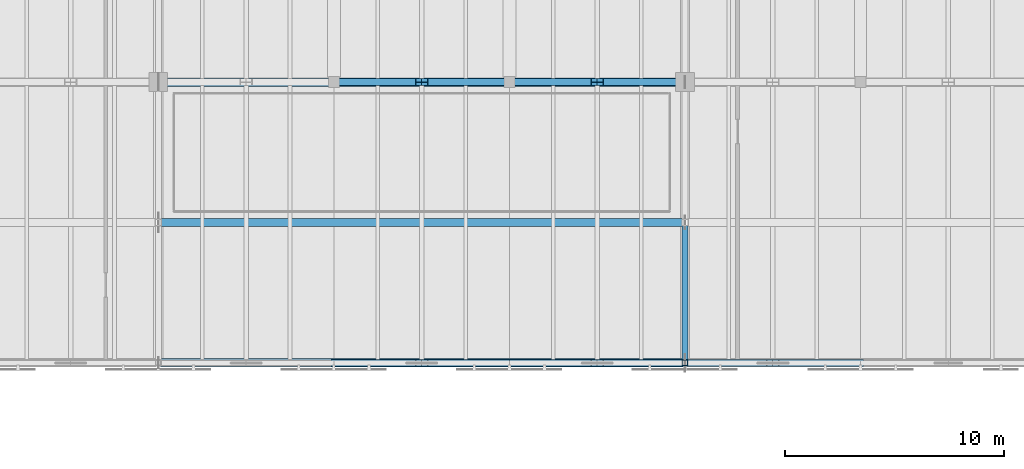
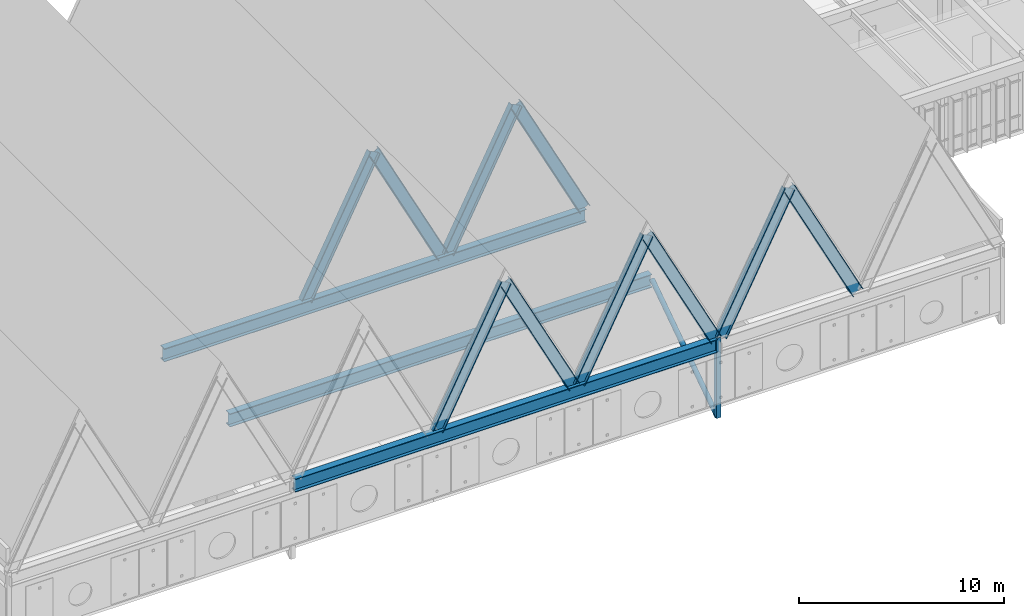
# One storey, part 11 of 72: 12 members, 3 beams.
"""IFC4 building model written with IfcOpenShell, lengths in metres."""

from ifc_helpers import new_model, si_unit, direction, frame, origin, origin_2d, place, context, subcontext, project, spatial, hollow_rectangle, hollow_circle, i_section, extrude, material, material_profile, profile_set, type_object, element, save


model = new_model("IFC4")

# Units and contexts
model_context = context("Model", 3, precision=1e-05, world=origin(), true_north=direction((0.0, 1.0)))
body_context = subcontext(model_context, "Body", "Model", "MODEL_VIEW")
ifc_project = project(units=[si_unit("LENGTHUNIT", "METRE"), si_unit("AREAUNIT", "SQUARE_METRE"), si_unit("VOLUMEUNIT", "CUBIC_METRE"), si_unit("PLANEANGLEUNIT", "RADIAN"), si_unit("MASSUNIT", "GRAM", prefix="KILO")], contexts=[model_context])

# Site, building, storey
site_placement = place(None, origin())
site = spatial("IfcSite", under=ifc_project, at=site_placement, CompositionType="ELEMENT")
building_placement = place(site_placement, origin())
building = spatial("IfcBuilding", under=site, at=building_placement, Name="Tlaxcora Railside Police Headquarters", CompositionType="ELEMENT")
storey_placement = place(building_placement, frame((0.0, 0.0, 13.5)))
storey = spatial("IfcBuildingStorey", under=building, at=storey_placement, Name="L03", CompositionType="ELEMENT", Elevation=13.5)

# Member
ifc_material = material(Name="Steel ASTM A992 Grade 50", Category="steel")
ifc_material_profile_1 = material_profile(ifc_material, hollow_circle(Radius=0.136474609375, WallThickness=0.011962890625, at=origin_2d()), Name="CHS273X12")
ifc_profile_set_1 = profile_set([ifc_material_profile_1], Name="Steel ASTM A992 Grade 50")
member_type_1 = type_object("IfcMemberType", Name="Diagonal Brace Member MB-16", PredefinedType="BRACE", material=ifc_profile_set_1)
member_1_placement = place(storey_placement, frame((86.0, 29.60009765625, 3.52001953125), z_axis=(0.0, -0.828850506768, -0.559470139892), x_axis=(1.0, 0.0, 0.0)))
element("IfcMember", 1, at=member_1_placement, inside=storey, type_object=member_type_1, Name="Truss TR-3 L03 web diagonal 5", PredefinedType="BRACE", context=body_context, shape_type="SweptSolid", body=[
    extrude(hollow_circle(Radius=0.136474609375, WallThickness=0.011962890625, at=origin_2d()), origin(), (0.0, 0.0, 1.0), 7.7216796875),
])

# Beams
ifc_material_profile_2 = material_profile(ifc_material, i_section(OverallWidth=0.384033203125, OverallDepth=0.784912109375, WebThickness=0.019775390625, FlangeThickness=0.033447265625, at=origin_2d()), Name="W30X211")
ifc_profile_set_2 = profile_set([ifc_material_profile_2], Name="Steel ASTM A992 Grade 50")
beam_type = type_object("IfcBeamType", Name="Primary Frame Girder BM-53", PredefinedType="BEAM", material=ifc_profile_set_2)
for number, where, z_axis, x_axis, name in (
    (2, (62.10009765625, 36.0, 3.5673828125), (1.0, 0.0, 0.0), (0.0, 1.0, 0.0), "Sawtooth roof tie girder Y=36.0"),
    (3, (62.10009765625, 29.60009765625, 3.5673828125), (1.0, 0.0, 0.0), (0.0, 1.0, 0.0), "Sawtooth roof tie girder Y=29.6"),
    (4, (62.10009765625, 23.199951171875, 3.5673828125), (1.0, 0.0, 0.0), (0.0, 1.0, 0.0), "Sawtooth roof tie girder Y=23.2"),
):
    element("IfcBeam", number, at=place(storey_placement, frame(where, z_axis=z_axis, x_axis=x_axis)), inside=storey, type_object=beam_type, Name=name, PredefinedType="BEAM", context=body_context, shape_type="SweptSolid", body=[
        extrude(i_section(OverallWidth=0.384033203125, OverallDepth=0.784912109375, WebThickness=0.019775390625, FlangeThickness=0.033447265625, at=origin_2d()), origin(), (0.0, 0.0, 1.0), 23.7998046875),
    ])

# Members
ifc_material_profile_3 = material_profile(ifc_material, i_section(OverallWidth=0.3291015625, OverallDepth=0.635009765625, WebThickness=0.017822265625, FlangeThickness=0.031005859375, at=origin_2d()), Name="W24X162")
ifc_profile_set_3 = profile_set([ifc_material_profile_3], Name="Steel ASTM A992 Grade 50")
member_type_2 = type_object("IfcMemberType", Name="Truss Chord Member MB-35", PredefinedType="CHORD", material=ifc_profile_set_3)
for number, where, z_axis, x_axis, name in (
    (5, (70.14990234375, 23.199951171875, 3.919921875), (0.455243807773, 0.0, 0.890366820745), (0.0, 1.0, 0.0), "Sawtooth rafter 4W Y=23.2"),
    (6, (77.85009765625, 23.199951171875, 3.919921875), (-0.455243807773, 0.0, 0.890366820745), (0.0, -1.0, 0.0), "Sawtooth rafter 4E Y=23.2"),
    (7, (70.14990234375, 36.0, 3.919921875), (0.455243807773, 0.0, 0.890366820745), (0.0, 1.0, 0.0), "Sawtooth rafter 4W Y=36.0"),
    (8, (77.85009765625, 36.0, 3.919921875), (-0.455243807773, 0.0, 0.890366820745), (0.0, -1.0, 0.0), "Sawtooth rafter 4E Y=36.0"),
    (9, (78.14990234375, 23.199951171875, 3.919921875), (0.455243807773, 0.0, 0.890366820745), (0.0, 1.0, 0.0), "Sawtooth rafter 5W Y=23.2"),
    (10, (85.85009765625, 23.199951171875, 3.919921875), (-0.455243807773, 0.0, 0.890366820745), (0.0, -1.0, 0.0), "Sawtooth rafter 5E Y=23.2"),
    (11, (78.14990234375, 36.0, 3.919921875), (0.455243807773, 0.0, 0.890366820745), (0.0, 1.0, 0.0), "Sawtooth rafter 5W Y=36.0"),
    (12, (85.85009765625, 36.0, 3.919921875), (-0.455243807773, 0.0, 0.890366820745), (0.0, -1.0, 0.0), "Sawtooth rafter 5E Y=36.0"),
    (13, (86.14990234375, 23.199951171875, 3.919921875), (0.455243807773, 0.0, 0.890366820745), (0.0, 1.0, 0.0), "Sawtooth rafter 6W Y=23.2"),
    (14, (93.85009765625, 23.199951171875, 3.919921875), (-0.455243807773, 0.0, 0.890366820745), (0.0, -1.0, 0.0), "Sawtooth rafter 6E Y=23.2"),
):
    element("IfcMember", number, at=place(storey_placement, frame(where, z_axis=z_axis, x_axis=x_axis)), inside=storey, type_object=member_type_2, Name=name, PredefinedType="CHORD", context=body_context, shape_type="SweptSolid", body=[
        extrude(i_section(OverallWidth=0.3291015625, OverallDepth=0.635009765625, WebThickness=0.017822265625, FlangeThickness=0.031005859375, at=origin_2d()), origin(), (0.0, 0.0, 1.0), 8.457275390625),
    ])
ifc_material_profile_4 = material_profile(ifc_material, hollow_rectangle(XDim=0.25, YDim=0.25, WallThickness=0.011962890625, at=origin_2d()), Name="HSS250X250X12")
ifc_profile_set_4 = profile_set([ifc_material_profile_4], Name="Steel ASTM A992 Grade 50")
member_type_3 = type_object("IfcMemberType", Name="Truss Vertical Post MB-22", PredefinedType="POST", material=ifc_profile_set_4)
member_2_placement = place(storey_placement, frame((86.0, 23.199951171875, -0.800048828125), z_axis=(0.0, 0.0, 1.0), x_axis=(1.0, 0.0, 0.0)))
element("IfcMember", 15, at=member_2_placement, inside=storey, type_object=member_type_3, Name="Truss TR-3 L03 post Y=23.2", PredefinedType="POST", context=body_context, shape_type="SweptSolid", body=[
    extrude(hollow_rectangle(XDim=0.25, YDim=0.25, WallThickness=0.011962890625, at=origin_2d()), origin(), (0.0, 0.0, 1.0), 4.780029296875),
])

save(model, "model.ifc")
